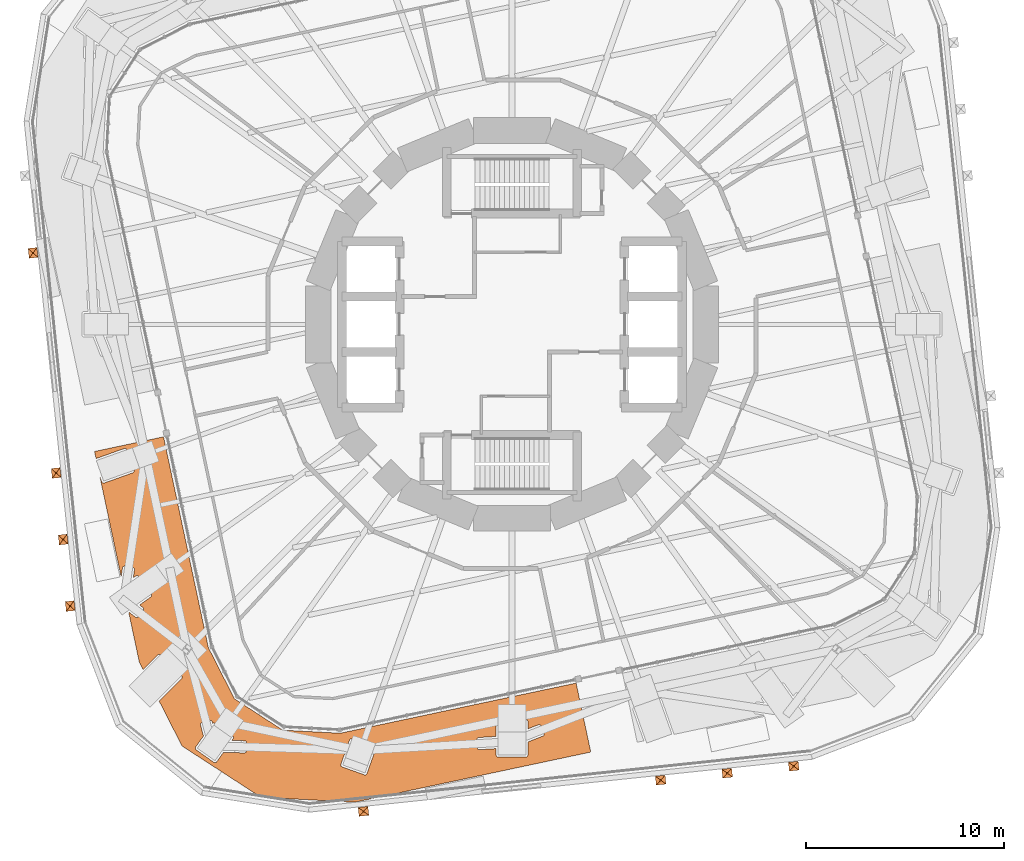
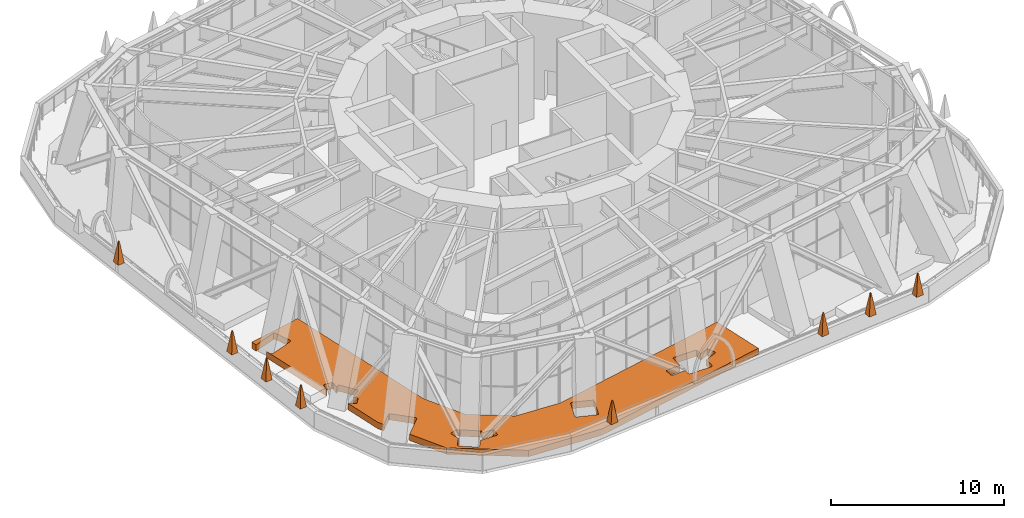
# One storey, part 20 of 23: 9 proxies.
"""IFC4 building model written with IfcOpenShell, lengths in metres."""

import ifcopenshell
import ifcopenshell.guid

model = None  # the IFC model being written
_history = None  # IfcOwnerHistory: only IFC2X3 demands one
_inside = {}  # id of a spatial element -> (the spatial element, [elements in it])
_under = {}  # id of a project, library or spatial element -> (it, [spatial elements below it])
_declared = {}  # id of a project -> (the project, [libraries it declares])
_typed = {}  # id of a type object -> (the type object, [elements of that type])
_made_of = {}  # id of a material, layer set ... -> (it, [elements and type objects made of it])


def new_model(schema):
    """Start an empty IFC model of exactly this schema.

    Asked for "IFC4X3", IfcOpenShell would pick the latest addendum, in which some entities
    have other attributes; the version numbers below select the first issue.
    IFC2X3 requires an IfcOwnerHistory on every rooted entity: one is made here for all.
    """
    global model, _history
    if schema == "IFC4X3":
        model = ifcopenshell.file(schema_version=(4, 3, 0, 0))
    else:
        model = ifcopenshell.file(schema=schema)
    _inside.clear()
    _under.clear()
    _declared.clear()
    _typed.clear()
    _made_of.clear()
    _history = None
    if model.schema == "IFC2X3":
        org = make("IfcOrganization", Name="unknown")
        user = make(
            "IfcPersonAndOrganization",
            ThePerson=make("IfcPerson", FamilyName="unknown"),
            TheOrganization=org,
        )
        app = make(
            "IfcApplication",
            ApplicationDeveloper=org,
            Version="unknown",
            ApplicationFullName="unknown",
            ApplicationIdentifier="unknown",
        )
        _history = make(
            "IfcOwnerHistory",
            OwningUser=user,
            OwningApplication=app,
            ChangeAction="ADDED",
            CreationDate=0,
        )
    return model


def make(cls, **values):
    """One entity of the class cls with the attributes given. An attribute that is None is left unset."""
    return model.create_entity(
        cls, **{name: value for name, value in values.items() if value is not None}
    )


def entity(cls, *values):
    """Any entity or typed value of the class cls, its attributes in the order of the schema. None: left unset."""
    e = model.create_entity(cls)
    for i, value in enumerate(values):
        if value is not None:
            e[i] = value
    return e


def rooted(cls, **values):
    """An entity with a GlobalId (a new one), such as an element, a storey or a relation."""
    return make(cls, GlobalId=ifcopenshell.guid.new(), OwnerHistory=_history, **values)


def si_unit(unit_type, name, prefix=None):
    """IfcSIUnit, for example si_unit("LENGTHUNIT", "METRE", prefix="MILLI")."""
    return make("IfcSIUnit", UnitType=unit_type, Prefix=prefix, Name=name)


def assignment(units):
    """IfcUnitAssignment: the units of a project."""
    return None if units is None else make("IfcUnitAssignment", Units=units)


def point(xyz):
    """IfcCartesianPoint."""
    return None if xyz is None else make("IfcCartesianPoint", Coordinates=xyz)


def direction(xyz):
    """IfcDirection."""
    return None if xyz is None else make("IfcDirection", DirectionRatios=xyz)


def frame(location, z_axis=None, x_axis=None):
    """IfcAxis2Placement3D, a coordinate frame: its origin and axes. An axis left out is left unset."""
    return make(
        "IfcAxis2Placement3D",
        Location=point(location),
        Axis=direction(z_axis),
        RefDirection=direction(x_axis),
    )


def origin():
    """The frame at (0, 0, 0) with its axes left unset."""
    return frame((0.0, 0.0, 0.0))


def place(relative_to, where):
    """IfcLocalPlacement: puts the frame where relative to a parent placement (None: the world)."""
    return make(
        "IfcLocalPlacement", PlacementRelTo=relative_to, RelativePlacement=where
    )


def context(
    kind, dimensions, precision=None, world=None, true_north=None, identifier=None
):
    """IfcGeometricRepresentationContext, for example the 3D "Model" context."""
    return make(
        "IfcGeometricRepresentationContext",
        ContextIdentifier=identifier,
        ContextType=kind,
        CoordinateSpaceDimension=dimensions,
        Precision=precision,
        WorldCoordinateSystem=world,
        TrueNorth=true_north,
    )


def subcontext(parent, identifier, kind, view, scale=None):
    """IfcGeometricRepresentationSubContext, for example "Body" below "Model"."""
    return make(
        "IfcGeometricRepresentationSubContext",
        ContextIdentifier=identifier,
        ContextType=kind,
        ParentContext=parent,
        TargetScale=scale,
        TargetView=view,
    )


def project(units=None, contexts=None):
    """IfcProject with its units and contexts."""
    return rooted(
        "IfcProject",
        Name="project",
        RepresentationContexts=contexts,
        UnitsInContext=assignment(units),
    )


def spatial(cls, under=None, at=None, **own):
    """A site, building, storey or space (cls), placed at a placement, below another one or the project."""
    s = rooted(cls, ObjectPlacement=at, **own)
    if under is not None:
        _under.setdefault(under.id(), (under, []))[1].append(s)
    return s


def polyline(points):
    """IfcPolyline through the points."""
    return make("IfcPolyline", Points=[point(p) for p in points])


def outline(outer, holes=None, kind="AREA"):
    """IfcArbitraryClosedProfileDef: a profile drawn as a closed curve; with holes, ...WithVoids."""
    if holes is None:
        return make("IfcArbitraryClosedProfileDef", ProfileType=kind, OuterCurve=outer)
    return make(
        "IfcArbitraryProfileDefWithVoids",
        ProfileType=kind,
        OuterCurve=outer,
        InnerCurves=holes,
    )


def extrude(swept, where, along, depth):
    """IfcExtrudedAreaSolid: the profile swept, set in the frame where, extruded along a direction by depth."""
    return make(
        "IfcExtrudedAreaSolid",
        SweptArea=swept,
        Position=where,
        ExtrudedDirection=direction(along),
        Depth=depth,
    )


def shape(context_of_items, identifier, shape_type, items):
    """IfcShapeRepresentation: the items that make up one representation, for example the "Body"."""
    return make(
        "IfcShapeRepresentation",
        ContextOfItems=context_of_items,
        RepresentationIdentifier=identifier,
        RepresentationType=shape_type,
        Items=items,
    )


def material(Name=None, Category=None):
    """IfcMaterial."""
    return make("IfcMaterial", Name=Name, Category=Category)


def made_of(thing, what):
    """Note that an element or type object is made of a material, layer set ...; save() writes the relation."""
    if what is not None:
        _made_of.setdefault(what.id(), (what, []))[1].append(thing)
    return thing


def type_object(cls, material=None, **own):
    """A type object (cls), such as IfcWallType, which elements share."""
    return made_of(rooted(cls, **own), material)


def element(
    cls,
    number,
    at=None,
    inside=None,
    cuts=None,
    type_object=None,
    material=None,
    context=None,
    identifier="Body",
    shape_type=None,
    held_by="IfcProductDefinitionShape",
    body=None,
    shapes=None,
    **own,
):
    """One element of the class cls, such as IfcWall. Its Tag is "e" and its number.

    at: its placement. inside: the storey or other place that contains it. cuts: it is an
    opening in that element (IfcRelVoidsElement). A single representation is given by context,
    identifier, shape_type and body (its items); several are given by shapes. held_by: the class
    of the entity that holds the representations. save() writes the other relations.
    """
    e = rooted(cls, Tag="e%d" % number, ObjectPlacement=at, **own)
    if body is not None:
        shapes = [shape(context, identifier, shape_type, body)]
    if shapes is not None:
        e.Representation = make(held_by, Representations=shapes)
    if inside is not None:
        _inside.setdefault(inside.id(), (inside, []))[1].append(e)
    if cuts is not None:
        rooted(
            "IfcRelVoidsElement", RelatingBuildingElement=cuts, RelatedOpeningElement=e
        )
    if type_object is not None:
        _typed.setdefault(type_object.id(), (type_object, []))[1].append(e)
    return made_of(e, material)


def aggregate(whole, parts):
    """IfcRelAggregates: a whole, such as a stair, and the parts it consists of."""
    return rooted("IfcRelAggregates", RelatingObject=whole, RelatedObjects=parts)


def save(model, path):
    """Write the relations noted so far, then the file.

    IfcRelAggregates (storeys below a building ...), IfcRelContainedInSpatialStructure (elements
    in a storey), IfcRelDefinesByType, IfcRelAssociatesMaterial and IfcRelDeclares: one each for
    every whole, place, type object, material and project.
    """
    for whole, parts in _under.values():
        aggregate(whole, parts)
    for where, things in _inside.values():
        rooted(
            "IfcRelContainedInSpatialStructure",
            RelatedElements=things,
            RelatingStructure=where,
        )
    for kind, things in _typed.values():
        rooted("IfcRelDefinesByType", RelatedObjects=things, RelatingType=kind)
    for what, things in _made_of.values():
        rooted("IfcRelAssociatesMaterial", RelatedObjects=things, RelatingMaterial=what)
    for by, libraries in _declared.values():
        rooted("IfcRelDeclares", RelatingContext=by, RelatedDefinitions=libraries)
    model.write(path)


model = new_model("IFC4")

# Units and contexts
model_context = context("Model", 3, precision=1e-05, world=origin(), true_north=direction((0.0, 1.0)))
body_context = subcontext(model_context, "Body", "Model", "MODEL_VIEW")
ifc_project = project(units=[si_unit("LENGTHUNIT", "METRE"), si_unit("AREAUNIT", "SQUARE_METRE"), si_unit("VOLUMEUNIT", "CUBIC_METRE"), si_unit("PLANEANGLEUNIT", "RADIAN"), si_unit("MASSUNIT", "GRAM", prefix="KILO")], contexts=[model_context])

# Site, building, storey
site_placement = place(None, origin())
site = spatial("IfcSite", under=ifc_project, at=site_placement, CompositionType="ELEMENT")
building_placement = place(site_placement, origin())
building = spatial("IfcBuilding", under=site, at=building_placement, Name="Nakasero Lantern House", CompositionType="ELEMENT")
storey_placement = place(building_placement, frame((0.0, 0.0, 95.14990234375)))
storey = spatial("IfcBuildingStorey", under=building, at=storey_placement, Name="L23", CompositionType="ELEMENT", Elevation=95.14990234375)

# Proxies
ifc_material_1 = material(Name="Concrete C40/50 precast", Category="concrete")
building_element_proxy_type_1 = type_object("IfcBuildingElementProxyType", Name="Pinnacle 500x450", PredefinedType="USERDEFINED", material=ifc_material_1)
for number, where, z_axis, x_axis, name in (
    (1, (-24.235595703125, 3.61474609375, 1.10009765625), (0.0, 0.0, 1.0), (-0.994521895368, -0.104528463268, 0.0), "Pinnacle B2 2-01"),
    (2, (-23.065185546875, -7.522216796875, 1.10009765625), (0.0, 0.0, 1.0), (-0.994521895368, -0.104528463268, 0.0), "Pinnacle B2 2-02"),
    (3, (-22.711181640625, -10.88916015625, 1.10009765625), (0.0, 0.0, 1.0), (-0.994521895368, -0.104528463268, 0.0), "Pinnacle B2 2-03"),
    (4, (-22.357421875, -14.256103515625, 1.10009765625), (0.0, 0.0, 1.0), (-0.994521895368, -0.104528463268, 0.0), "Pinnacle B2 2-04"),
    (5, (-7.514404296875, -24.6455078125, 1.10009765625), (0.0, 0.0, 1.0), (0.104528463268, -0.994521895368, 0.0), "Pinnacle B2 3-00"),
    (6, (7.522216796875, -23.065185546875, 1.10009765625), (0.0, 0.0, 1.0), (0.104528463268, -0.994521895368, 0.0), "Pinnacle B2 3-01"),
    (7, (10.88916015625, -22.711181640625, 1.10009765625), (0.0, 0.0, 1.0), (0.104528463268, -0.994521895368, 0.0), "Pinnacle B2 3-02"),
    (8, (14.256103515625, -22.357421875, 1.10009765625), (0.0, 0.0, 1.0), (0.104528463268, -0.994521895368, 0.0), "Pinnacle B2 3-03"),
):
    element("IfcBuildingElementProxy", number, at=place(storey_placement, frame(where, z_axis=z_axis, x_axis=x_axis)), inside=storey, type_object=building_element_proxy_type_1, Name=name, ObjectType="PINNACLE", PredefinedType="USERDEFINED", context=body_context, shape_type="SweptSolid", body=[
        entity("IfcExtrudedAreaSolidTapered", entity("IfcRectangleProfileDef", "AREA", None, entity("IfcAxis2Placement2D", entity("IfcCartesianPoint", [0.0, 0.0])), 0.449951171875, 0.5), entity("IfcAxis2Placement3D", entity("IfcCartesianPoint", [0.0, 0.0, 0.0])), entity("IfcDirection", [0.0, 0.0, 1.0]), 1.5, entity("IfcRectangleProfileDef", "AREA", None, entity("IfcAxis2Placement2D", entity("IfcCartesianPoint", [0.0, 0.0])), 0.06005859375, 0.06005859375)),
    ])
ifc_material_2 = material(Name="Planting substrate", Category="soil")
building_element_proxy_type_2 = type_object("IfcBuildingElementProxyType", Name="Planter bed 450", PredefinedType="USERDEFINED", material=ifc_material_2)
proxy_placement = place(storey_placement, origin())
element("IfcBuildingElementProxy", 9, at=proxy_placement, inside=storey, type_object=building_element_proxy_type_2, Name="Planter bed L23 1-1", ObjectType="PLANTER BED", PredefinedType="USERDEFINED", context=body_context, shape_type="SweptSolid", body=[
    extrude(outline(polyline([(-16.696044921875, -21.337646484375), (-17.85693359375, -19.05908203125), (-16.72265625, -17.924560546875), (-16.716064453125, -17.91748046875), (-16.710205078125, -17.909423828125), (-16.705078125, -17.901123046875), (-16.700927734375, -17.892333984375), (-16.697509765625, -17.883056640625), (-16.6953125, -17.87353515625), (-16.69384765625, -17.86376953125), (-16.693359375, -17.85400390625), (-16.69384765625, -17.84423828125), (-16.6953125, -17.83447265625), (-16.697509765625, -17.824951171875), (-16.700927734375, -17.815673828125), (-16.705078125, -17.806884765625), (-16.710205078125, -17.79833984375), (-16.716064453125, -17.79052734375), (-16.72265625, -17.783203125), (-17.783203125, -16.72265625), (-17.79052734375, -16.716064453125), (-17.79833984375, -16.710205078125), (-17.806884765625, -16.705078125), (-17.815673828125, -16.700927734375), (-17.824951171875, -16.697509765625), (-17.83447265625, -16.6953125), (-17.84423828125, -16.69384765625), (-17.85400390625, -16.693359375), (-17.86376953125, -16.69384765625), (-17.87353515625, -16.6953125), (-17.883056640625, -16.697509765625), (-17.892333984375, -16.700927734375), (-17.901123046875, -16.705078125), (-17.909423828125, -16.710205078125), (-17.91748046875, -16.716064453125), (-17.924560546875, -16.72265625), (-18.66845703125, -17.46630859375), (-18.85791015625, -17.09423828125), (-19.390869140625, -14.586669921875), (-19.36962890625, -14.571533203125), (-19.338134765625, -14.595703125), (-19.051513671875, -14.816650390625), (-19.04345703125, -14.822265625), (-19.034912109375, -14.826904296875), (-19.02587890625, -14.830810546875), (-19.0166015625, -14.833984375), (-19.0068359375, -14.8359375), (-18.9970703125, -14.837158203125), (-18.9873046875, -14.83740234375), (-18.9775390625, -14.836669921875), (-18.968017578125, -14.834716796875), (-18.95849609375, -14.83203125), (-18.949462890625, -14.82861328125), (-18.940673828125, -14.823974609375), (-18.932373046875, -14.81884765625), (-18.924560546875, -14.812744140625), (-18.91748046875, -14.805908203125), (-18.9111328125, -14.79833984375), (-18.65966796875, -14.471923828125), (-18.654052734375, -14.4638671875), (-18.6494140625, -14.455322265625), (-18.6455078125, -14.4462890625), (-18.642333984375, -14.43701171875), (-18.640380859375, -14.42724609375), (-18.63916015625, -14.41748046875), (-18.638916015625, -14.40771484375), (-18.6396484375, -14.39794921875), (-18.6416015625, -14.388427734375), (-18.644287109375, -14.37890625), (-18.647705078125, -14.36962890625), (-18.65234375, -14.361083984375), (-18.657470703125, -14.352783203125), (-18.66357421875, -14.344970703125), (-18.67041015625, -14.337890625), (-18.677978515625, -14.33154296875), (-18.847900390625, -14.20068359375), (-18.272705078125, -13.79150390625), (-18.26513671875, -13.785400390625), (-18.258056640625, -13.77880859375), (-18.251708984375, -13.771240234375), (-18.24609375, -13.76318359375), (-18.2412109375, -13.754638671875), (-18.2373046875, -13.74560546875), (-18.234130859375, -13.736328125), (-18.232177734375, -13.726806640625), (-18.23095703125, -13.717041015625), (-18.230712890625, -13.707275390625), (-18.2314453125, -13.697265625), (-18.233154296875, -13.687744140625), (-18.23583984375, -13.67822265625), (-18.239501953125, -13.669189453125), (-18.243896484375, -13.660400390625), (-18.249267578125, -13.652099609375), (-18.88671875, -12.755615234375), (-18.892822265625, -12.748046875), (-18.899658203125, -12.740966796875), (-18.906982421875, -12.734619140625), (-18.9150390625, -12.72900390625), (-18.923583984375, -12.72412109375), (-18.9326171875, -12.72021484375), (-18.94189453125, -12.717041015625), (-18.95166015625, -12.715087890625), (-18.961181640625, -12.7138671875), (-18.97119140625, -12.713623046875), (-18.98095703125, -12.71435546875), (-18.990478515625, -12.716064453125), (-19.0, -12.71875), (-19.009033203125, -12.722412109375), (-19.017822265625, -12.726806640625), (-19.026123046875, -12.732177734375), (-19.165771484375, -12.83154296875), (-19.102294921875, -12.410400390625), (-19.101318359375, -12.400634765625), (-19.101318359375, -12.390625), (-19.102294921875, -12.380859375), (-19.104248046875, -12.371337890625), (-19.107177734375, -12.36181640625), (-19.11083984375, -12.352783203125), (-19.115478515625, -12.34423828125), (-19.120849609375, -12.3359375), (-19.126953125, -12.328369140625), (-19.134033203125, -12.321533203125), (-19.1416015625, -12.315185546875), (-19.149658203125, -12.309814453125), (-19.158447265625, -12.30517578125), (-19.16748046875, -12.30126953125), (-19.1767578125, -12.29833984375), (-19.186279296875, -12.296630859375), (-19.593994140625, -12.235107421875), (-19.603759765625, -12.234130859375), (-19.613525390625, -12.234130859375), (-19.623291015625, -12.235107421875), (-19.633056640625, -12.23681640625), (-19.642333984375, -12.23974609375), (-19.6513671875, -12.243408203125), (-19.66015625, -12.248046875), (-19.668212890625, -12.25341796875), (-19.67578125, -12.259765625), (-19.682861328125, -12.2666015625), (-19.68896484375, -12.274169921875), (-19.694580078125, -12.282470703125), (-19.69921875, -12.291015625), (-19.702880859375, -12.300048828125), (-19.705810546875, -12.309326171875), (-19.707763671875, -12.319091796875), (-19.74853515625, -12.589599609375), (-19.7763671875, -12.77392578125), (-20.858642578125, -7.682373046875), (-20.75830078125, -7.96435546875), (-20.75439453125, -7.9736328125), (-20.75, -7.982177734375), (-20.744384765625, -7.990234375), (-20.73828125, -7.998046875), (-20.7314453125, -8.0048828125), (-20.723876953125, -8.01123046875), (-20.715576171875, -8.0166015625), (-20.70703125, -8.021240234375), (-20.697998046875, -8.025146484375), (-20.6884765625, -8.02783203125), (-20.678955078125, -8.02978515625), (-20.669189453125, -8.03076171875), (-20.659423828125, -8.03076171875), (-20.649658203125, -8.02978515625), (-20.639892578125, -8.028076171875), (-20.630615234375, -8.025146484375), (-19.64404296875, -7.67431640625), (-19.180419921875, -7.509521484375), (-19.17138671875, -7.505859375), (-19.162841796875, -7.501220703125), (-19.154541015625, -7.495849609375), (-19.14697265625, -7.489501953125), (-19.14013671875, -7.482666015625), (-19.1337890625, -7.47509765625), (-19.12841796875, -7.467041015625), (-19.123779296875, -7.458251953125), (-19.119873046875, -7.44921875), (-19.116943359375, -7.43994140625), (-19.114990234375, -7.43017578125), (-19.114013671875, -7.42041015625), (-19.114013671875, -7.41064453125), (-19.114990234375, -7.40087890625), (-19.116943359375, -7.391357421875), (-19.119873046875, -7.3818359375), (-19.48828125, -6.345458984375), (-19.491943359375, -6.33642578125), (-19.49658203125, -6.32763671875), (-19.501953125, -6.319580078125), (-19.50830078125, -6.31201171875), (-19.51513671875, -6.304931640625), (-19.522705078125, -6.298828125), (-19.531005859375, -6.293212890625), (-19.53955078125, -6.28857421875), (-19.548583984375, -6.284912109375), (-19.55810546875, -6.281982421875), (-19.567626953125, -6.280029296875), (-19.577392578125, -6.279052734375), (-19.587158203125, -6.279052734375), (-19.596923828125, -6.280029296875), (-19.606689453125, -6.281982421875), (-19.615966796875, -6.28466796875), (-20.6025390625, -6.635498046875), (-21.04736328125, -6.793701171875), (-21.124267578125, -6.4326171875), (-17.63232421875, -5.690185546875), (-15.365966796875, -16.35205078125), (-14.04296875, -18.94873046875), (-11.598876953125, -20.535888671875), (-8.6884765625, -20.6884765625), (3.244873046875, -18.152099609375), (3.987060546875, -21.64404296875), (-7.9462890625, -24.180419921875), (-12.701904296875, -23.931396484375), (-16.696044921875, -21.337646484375)]), holes=[polyline([(-13.45068359375, -21.626708984375), (-13.447021484375, -21.617431640625), (-13.4443359375, -21.608154296875), (-13.442626953125, -21.598388671875), (-13.44189453125, -21.588623046875), (-13.4287109375, -21.1767578125), (-13.428955078125, -21.166748046875), (-13.43017578125, -21.1572265625), (-13.43212890625, -21.1474609375), (-13.435302734375, -21.13818359375), (-13.439208984375, -21.129150390625), (-13.44384765625, -21.12060546875), (-13.449462890625, -21.112548828125), (-13.455810546875, -21.10498046875), (-13.462890625, -21.09814453125), (-13.470703125, -21.092041015625), (-13.478759765625, -21.0869140625), (-13.487548828125, -21.082275390625), (-13.496826171875, -21.078857421875), (-13.506103515625, -21.076171875), (-13.515869140625, -21.074462890625), (-13.525634765625, -21.073486328125), (-13.798095703125, -21.06494140625), (-14.17333984375, -21.052978515625), (-14.11474609375, -20.97021484375), (-14.109375, -20.962158203125), (-14.10498046875, -20.953369140625), (-14.101318359375, -20.944091796875), (-14.0986328125, -20.934814453125), (-14.096923828125, -20.925048828125), (-14.09619140625, -20.915283203125), (-14.096435546875, -20.905517578125), (-14.097412109375, -20.895751953125), (-14.099609375, -20.88623046875), (-14.102783203125, -20.876708984375), (-14.106689453125, -20.867919921875), (-14.111328125, -20.859130859375), (-14.116943359375, -20.851318359375), (-14.123291015625, -20.84375), (-14.13037109375, -20.8369140625), (-14.13818359375, -20.830810546875), (-15.03466796875, -20.193359375), (-15.04296875, -20.18798828125), (-15.0517578125, -20.18359375), (-15.060791015625, -20.18017578125), (-15.0703125, -20.177490234375), (-15.079833984375, -20.17578125), (-15.089599609375, -20.175048828125), (-15.099365234375, -20.175048828125), (-15.109130859375, -20.17626953125), (-15.118896484375, -20.178466796875), (-15.128173828125, -20.181396484375), (-15.13720703125, -20.185302734375), (-15.145751953125, -20.190185546875), (-15.146728515625, -20.19091796875), (-15.16650390625, -20.11474609375), (-15.16943359375, -20.10546875), (-15.17333984375, -20.096435546875), (-15.177978515625, -20.087646484375), (-15.18359375, -20.07958984375), (-15.189697265625, -20.072021484375), (-15.19677734375, -20.065185546875), (-15.204345703125, -20.05908203125), (-15.212646484375, -20.0537109375), (-15.221435546875, -20.049072265625), (-15.23046875, -20.04541015625), (-15.239990234375, -20.042724609375), (-15.24951171875, -20.041015625), (-15.25927734375, -20.0400390625), (-15.26904296875, -20.040283203125), (-15.27880859375, -20.041259765625), (-15.28857421875, -20.043212890625), (-15.687255859375, -20.147216796875), (-15.69677734375, -20.150146484375), (-15.705810546875, -20.154052734375), (-15.71435546875, -20.15869140625), (-15.722412109375, -20.164306640625), (-15.72998046875, -20.170654296875), (-15.73681640625, -20.177490234375), (-15.742919921875, -20.185302734375), (-15.748291015625, -20.193359375), (-15.7529296875, -20.2021484375), (-15.756591796875, -20.211181640625), (-15.75927734375, -20.220703125), (-15.76123046875, -20.230224609375), (-15.761962890625, -20.239990234375), (-15.761962890625, -20.25), (-15.760986328125, -20.259765625), (-15.7587890625, -20.269287109375), (-15.61181640625, -20.832763671875), (-15.7939453125, -21.088623046875), (-16.006103515625, -21.386962890625), (-16.011474609375, -21.395263671875), (-16.015869140625, -21.404052734375), (-16.01953125, -21.4130859375), (-16.022216796875, -21.422607421875), (-16.02392578125, -21.432373046875), (-16.024658203125, -21.442138671875), (-16.0244140625, -21.451904296875), (-16.023193359375, -21.461669921875), (-16.021240234375, -21.47119140625), (-16.01806640625, -21.48046875), (-16.01416015625, -21.489501953125), (-16.00927734375, -21.498046875), (-16.003662109375, -21.506103515625), (-15.997314453125, -21.513671875), (-15.990234375, -21.520263671875), (-15.982666015625, -21.5263671875), (-15.086181640625, -22.163818359375), (-15.077880859375, -22.169189453125), (-15.069091796875, -22.173583984375), (-15.06005859375, -22.17724609375), (-15.050537109375, -22.179931640625), (-15.040771484375, -22.181640625), (-15.031005859375, -22.182373046875), (-15.021240234375, -22.18212890625), (-15.011474609375, -22.18115234375), (-15.001953125, -22.178955078125), (-14.99267578125, -22.17578125), (-14.983642578125, -22.171875), (-14.97509765625, -22.167236328125), (-14.967041015625, -22.16162109375), (-14.95947265625, -22.1552734375), (-14.95263671875, -22.148193359375), (-14.94677734375, -22.140380859375), (-14.599365234375, -21.652099609375), (-13.544921875, -21.685546875), (-13.53515625, -21.685302734375), (-13.525390625, -21.68408203125), (-13.515869140625, -21.68212890625), (-13.506591796875, -21.678955078125), (-13.49755859375, -21.675048828125), (-13.489013671875, -21.67041015625), (-13.48095703125, -21.664794921875), (-13.473388671875, -21.658447265625), (-13.466552734375, -21.6513671875), (-13.46044921875, -21.6435546875), (-13.455078125, -21.635498046875), (-13.45068359375, -21.626708984375)]), polyline([(-7.3671875, -22.7744140625), (-7.3603515625, -22.767578125), (-7.35400390625, -22.760009765625), (-7.3486328125, -22.751708984375), (-7.343994140625, -22.7431640625), (-7.34033203125, -22.734130859375), (-7.3056640625, -22.63671875), (-6.904541015625, -21.508544921875), (-6.901611328125, -21.4990234375), (-6.89990234375, -21.489501953125), (-6.89892578125, -21.479736328125), (-6.89892578125, -21.469970703125), (-6.89990234375, -21.460205078125), (-6.90185546875, -21.450439453125), (-6.90478515625, -21.441162109375), (-6.908447265625, -21.43212890625), (-6.9130859375, -21.42333984375), (-6.91845703125, -21.415283203125), (-6.9248046875, -21.40771484375), (-6.931640625, -21.40087890625), (-6.939453125, -21.39453125), (-6.947509765625, -21.38916015625), (-6.956298828125, -21.384521484375), (-6.96533203125, -21.380859375), (-8.095947265625, -20.978759765625), (-8.105224609375, -20.975830078125), (-8.114990234375, -20.97412109375), (-8.124755859375, -20.97314453125), (-8.134521484375, -20.97314453125), (-8.144287109375, -20.97412109375), (-8.15380859375, -20.97607421875), (-8.163330078125, -20.97900390625), (-8.17236328125, -20.982666015625), (-8.180908203125, -20.9873046875), (-8.189208984375, -20.99267578125), (-8.19677734375, -20.9990234375), (-8.20361328125, -21.006103515625), (-8.2099609375, -21.013671875), (-8.21533203125, -21.021728515625), (-8.219970703125, -21.030517578125), (-8.2236328125, -21.03955078125), (-8.624755859375, -22.167724609375), (-8.659423828125, -22.26513671875), (-8.662109375, -22.2744140625), (-8.6640625, -22.283935546875), (-8.6650390625, -22.293701171875), (-8.6650390625, -22.3037109375), (-8.6640625, -22.3134765625), (-8.662109375, -22.322998046875), (-8.6591796875, -22.33251953125), (-8.655517578125, -22.341552734375), (-8.65087890625, -22.35009765625), (-8.645263671875, -22.358154296875), (-8.63916015625, -22.36572265625), (-8.632080078125, -22.372802734375), (-8.62451171875, -22.37890625), (-8.616455078125, -22.384521484375), (-8.607666015625, -22.388916015625), (-8.5986328125, -22.392822265625), (-7.468017578125, -22.794677734375), (-7.45849609375, -22.797607421875), (-7.448974609375, -22.799560546875), (-7.439208984375, -22.800537109375), (-7.429443359375, -22.80029296875), (-7.419677734375, -22.79931640625), (-7.409912109375, -22.797607421875), (-7.400634765625, -22.794677734375), (-7.3916015625, -22.790771484375), (-7.3828125, -22.7861328125), (-7.374755859375, -22.78076171875), (-7.3671875, -22.7744140625)]), polyline([(-1.692626953125, -21.509765625), (-1.683349609375, -21.513427734375), (-1.674072265625, -21.51611328125), (-1.664306640625, -21.51806640625), (-1.654541015625, -21.518798828125), (-1.644775390625, -21.518798828125), (-0.800048828125, -21.46923828125), (-0.800048828125, -21.802490234375), (-0.799560546875, -21.812255859375), (-0.798095703125, -21.822021484375), (-0.795654296875, -21.83154296875), (-0.79248046875, -21.8408203125), (-0.7880859375, -21.849609375), (-0.783203125, -21.858154296875), (-0.77734375, -21.865966796875), (-0.770751953125, -21.873291015625), (-0.763427734375, -21.8798828125), (-0.755615234375, -21.8857421875), (-0.7470703125, -21.890625), (-0.73828125, -21.89501953125), (-0.72900390625, -21.898193359375), (-0.719482421875, -21.900634765625), (-0.709716796875, -21.902099609375), (-0.699951171875, -21.902587890625), (0.699951171875, -21.902587890625), (0.709716796875, -21.902099609375), (0.719482421875, -21.900634765625), (0.72900390625, -21.898193359375), (0.73828125, -21.89501953125), (0.7470703125, -21.890625), (0.755615234375, -21.8857421875), (0.763427734375, -21.8798828125), (0.770751953125, -21.873291015625), (0.77734375, -21.865966796875), (0.783203125, -21.858154296875), (0.7880859375, -21.849609375), (0.79248046875, -21.8408203125), (0.795654296875, -21.83154296875), (0.798095703125, -21.822021484375), (0.799560546875, -21.812255859375), (0.800048828125, -21.802490234375), (0.800048828125, -21.131103515625), (1.2939453125, -20.937744140625), (1.556884765625, -20.834716796875), (1.565673828125, -20.830810546875), (1.57421875, -20.825927734375), (1.582275390625, -20.820068359375), (1.589599609375, -20.813720703125), (1.596435546875, -20.806640625), (1.602294921875, -20.798828125), (1.607666015625, -20.79052734375), (1.612060546875, -20.78173828125), (1.615478515625, -20.7724609375), (1.617919921875, -20.762939453125), (1.61962890625, -20.75341796875), (1.620361328125, -20.74365234375), (1.6201171875, -20.733642578125), (1.618896484375, -20.72412109375), (1.61669921875, -20.71435546875), (1.613525390625, -20.705078125), (1.463134765625, -20.3212890625), (1.459228515625, -20.3125), (1.454345703125, -20.303955078125), (1.448486328125, -20.2958984375), (1.442138671875, -20.28857421875), (1.43505859375, -20.28173828125), (1.42724609375, -20.275634765625), (1.4189453125, -20.2705078125), (1.41015625, -20.26611328125), (1.40087890625, -20.2626953125), (1.391357421875, -20.260009765625), (1.3818359375, -20.258544921875), (1.3720703125, -20.2578125), (1.362060546875, -20.258056640625), (1.3525390625, -20.25927734375), (1.3427734375, -20.261474609375), (1.33349609375, -20.2646484375), (0.800048828125, -20.4736328125), (0.800048828125, -20.098876953125), (0.799560546875, -20.089111328125), (0.798095703125, -20.079345703125), (0.795654296875, -20.06982421875), (0.79248046875, -20.060546875), (0.7880859375, -20.0517578125), (0.783203125, -20.043212890625), (0.77734375, -20.035400390625), (0.770751953125, -20.028076171875), (0.763427734375, -20.021484375), (0.755615234375, -20.015625), (0.7470703125, -20.0107421875), (0.73828125, -20.00634765625), (0.72900390625, -20.003173828125), (0.719482421875, -20.000732421875), (0.709716796875, -19.999267578125), (0.699951171875, -19.998779296875), (-0.699951171875, -19.998779296875), (-0.709716796875, -19.999267578125), (-0.719482421875, -20.000732421875), (-0.72900390625, -20.003173828125), (-0.73828125, -20.00634765625), (-0.7470703125, -20.0107421875), (-0.755615234375, -20.015625), (-0.763427734375, -20.021484375), (-0.770751953125, -20.028076171875), (-0.77734375, -20.035400390625), (-0.783203125, -20.043212890625), (-0.7880859375, -20.0517578125), (-0.79248046875, -20.060546875), (-0.795654296875, -20.06982421875), (-0.798095703125, -20.079345703125), (-0.799560546875, -20.089111328125), (-0.800048828125, -20.098876953125), (-0.800048828125, -20.85595703125), (-1.412353515625, -20.891845703125), (-1.6806640625, -20.90771484375), (-1.6904296875, -20.90869140625), (-1.699951171875, -20.91064453125), (-1.70947265625, -20.91357421875), (-1.718505859375, -20.91748046875), (-1.72705078125, -20.922119140625), (-1.735107421875, -20.927734375), (-1.74267578125, -20.93408203125), (-1.74951171875, -20.94091796875), (-1.755615234375, -20.94873046875), (-1.760986328125, -20.956787109375), (-1.765625, -20.965576171875), (-1.769287109375, -20.974609375), (-1.77197265625, -20.984130859375), (-1.77392578125, -20.99365234375), (-1.774658203125, -21.00341796875), (-1.774658203125, -21.013427734375), (-1.75048828125, -21.4248046875), (-1.74951171875, -21.4345703125), (-1.747314453125, -21.444091796875), (-1.744384765625, -21.45361328125), (-1.74072265625, -21.462646484375), (-1.73583984375, -21.47119140625), (-1.73046875, -21.479248046875), (-1.72412109375, -21.48681640625), (-1.717041015625, -21.49365234375), (-1.70947265625, -21.499755859375), (-1.701171875, -21.505126953125), (-1.692626953125, -21.509765625)])]), origin(), (0.0, 0.0, 1.0), 0.4501953125),
])

save(model, "model.ifc")
